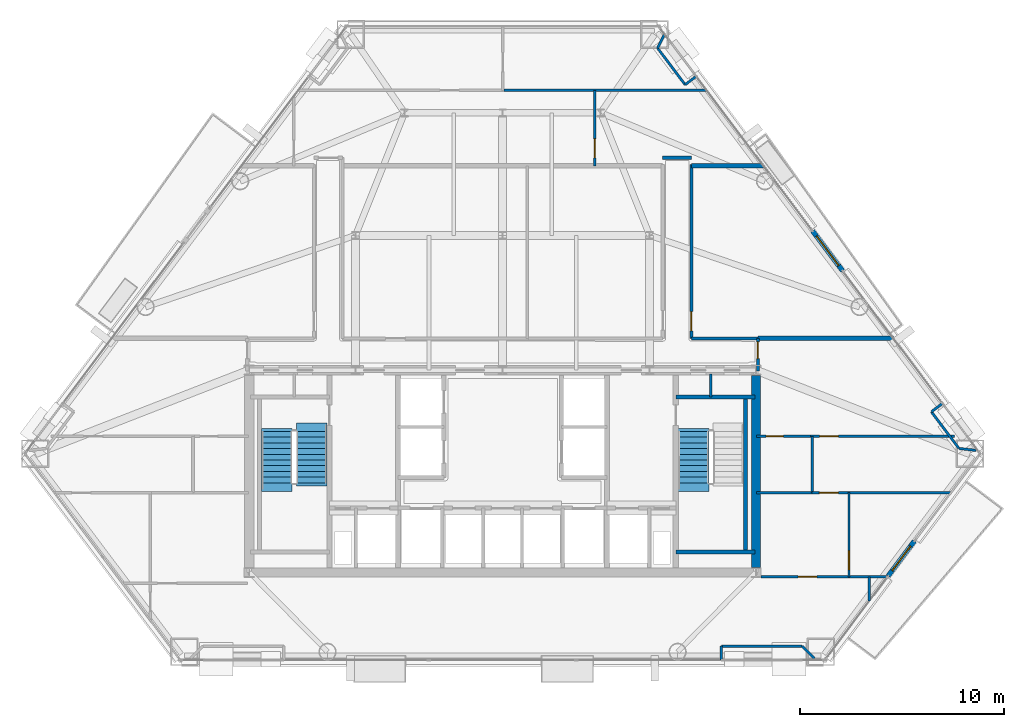
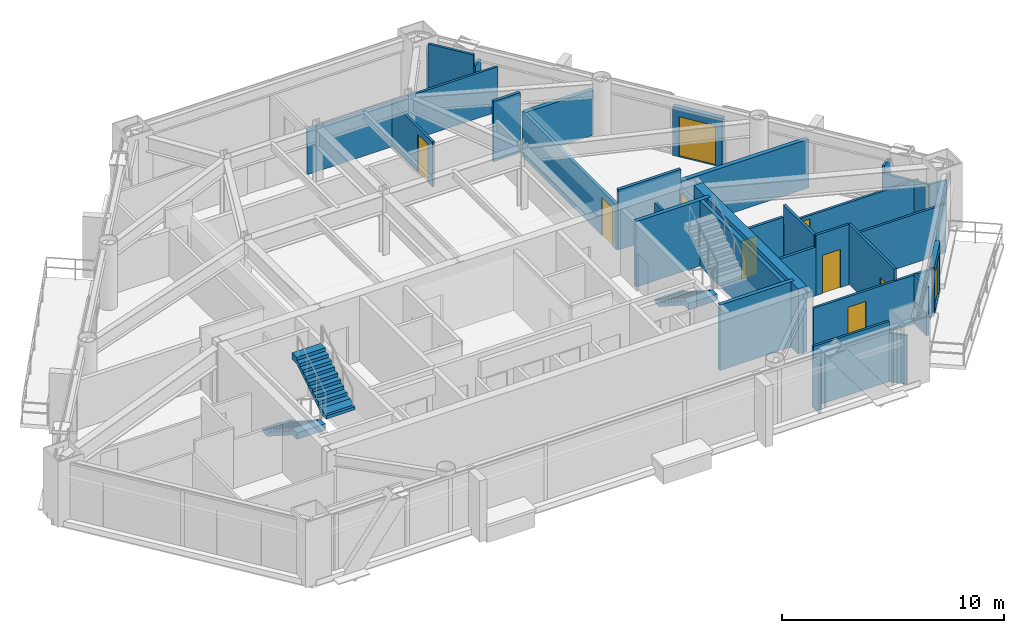
# One storey, part 11 of 14: 33 walls, 10 doors, 3 stair flights, 10 openings, 2 elements without a shape of their own.
"""IFC4 building model written with IfcOpenShell, lengths in metres."""

from ifc_helpers import new_model, si_unit, direction, frame, frame_2d, origin, place, context, subcontext, project, spatial, polyline, rectangle, outline, extrude, material, layer, layer_set, type_object, element, fill, aggregate, save


model = new_model("IFC4")

# Units and contexts
model_context = context("Model", 3, precision=1e-05, world=origin(), true_north=direction((0.0, 1.0)))
body_context = subcontext(model_context, "Body", "Model", "MODEL_VIEW")
ifc_project = project(units=[si_unit("LENGTHUNIT", "METRE"), si_unit("AREAUNIT", "SQUARE_METRE"), si_unit("VOLUMEUNIT", "CUBIC_METRE"), si_unit("PLANEANGLEUNIT", "RADIAN"), si_unit("MASSUNIT", "GRAM", prefix="KILO")], contexts=[model_context])

# Site, building, storey
site_placement = place(None, origin())
site = spatial("IfcSite", under=ifc_project, at=site_placement, CompositionType="ELEMENT")
building_placement = place(site_placement, origin())
building = spatial("IfcBuilding", under=site, at=building_placement, Name="Talgorran Terracotta Tower", CompositionType="ELEMENT")
storey_placement = place(building_placement, frame((0.0, 0.0, 56.699951171875)))
storey = spatial("IfcBuildingStorey", under=building, at=storey_placement, Name="L14", CompositionType="ELEMENT", Elevation=56.699951171875)

# Wall, opening, door
ifc_material_1 = material(Name="Concrete C40/50", Category="concrete")
ifc_layer_1 = layer(ifc_material_1, 0.239990234375, Name="WT_BALCONY_SPAND")
ifc_layer_set_1 = layer_set([ifc_layer_1], Name="Concrete C40/50")
wall_type_1 = type_object("IfcWallType", Name="WT_BALCONY_SPAND", PredefinedType="STANDARD", material=ifc_layer_set_1)
wall_1_placement = place(storey_placement, frame((16.646484375, 0.665771484375, -0.014892578125), z_axis=(0.0, 0.0, 1.0), x_axis=(-0.601471893772, 0.79889396105, 0.0)))
wall_1 = element("IfcWall", 1, at=wall_1_placement, inside=storey, type_object=wall_type_1, Name="WL-L14-BALP-BAL-NE", PredefinedType="STANDARD", context=body_context, shape_type="SweptSolid", body=[
    extrude(rectangle(XDim=2.43994140625, YDim=0.239990234375, at=frame_2d((1.219970703125, 0.0))), origin(), (0.0, 0.0, 1.0), 2.6982421875),
])
opening_1_placement = place(wall_1_placement, frame((0.320068359375, 0.0, 0.014892578125)))
opening_1 = element("IfcOpeningElement", 2, at=opening_1_placement, cuts=wall_1, Name="Opening D-BAL-L14-1", PredefinedType="OPENING", context=body_context, shape_type="SweptSolid", body=[
    extrude(rectangle(XDim=1.806048828125, YDim=2.203951171875, at=frame_2d((0.89990234375, 1.10205078125))), frame((0.0, 0.1298828125, 0.0), z_axis=(0.0, -1.0, 0.0), x_axis=(1.0, 0.0, 0.0)), (0.0, 0.0, 1.0), 0.260009765625),
])
ifc_material_2 = material(Name="Thermally Broken Aluminium", Category="aluminium")
door_type_1 = type_object("IfcDoorType", Name="DT_BALC_1800", OperationType="SLIDING_TO_LEFT", PredefinedType="DOOR", material=ifc_material_2)
door_1_placement = place(opening_1_placement, origin())
door_1 = element("IfcDoor", 3, at=door_1_placement, inside=storey, type_object=door_type_1, Name="DR-L14-BAL-BAL-NE", OperationType="SLIDING_TO_LEFT", OverallHeight=2.199951171875, OverallWidth=1.800048828125, PredefinedType="DOOR", context=body_context, shape_type="SweptSolid", body=[
    extrude(rectangle(XDim=1.800048828125, YDim=2.199951171875, at=frame_2d((0.89990234375, 1.10009765625))), frame((0.0, 0.02490234375, 0.0), z_axis=(0.0, -1.0, 0.0), x_axis=(1.0, 0.0, 0.0)), (0.0, 0.0, 1.0), 0.050048828125),
])
fill(opening_1, door_1)

wall_2_placement = place(storey_placement, frame((18.877197265625, -14.27587890625, -0.014892578125), z_axis=(0.0, 0.0, 1.0), x_axis=(0.601441023505, 0.798917201746, 0.0)))
wall_2 = element("IfcWall", 4, at=wall_2_placement, inside=storey, type_object=wall_type_1, Name="WL-L14-BALP-BAL-SE", PredefinedType="STANDARD", context=body_context, shape_type="SweptSolid", body=[
    extrude(rectangle(XDim=2.14013671875, YDim=0.239990234375, at=frame_2d((1.070068359375, 0.0))), origin(), (0.0, 0.0, 1.0), 2.6982421875),
])
opening_2_placement = place(wall_2_placement, frame((0.320068359375, 0.0, 0.014892578125)))
opening_2 = element("IfcOpeningElement", 5, at=opening_2_placement, cuts=wall_2, Name="Opening D-BAL-L14-3", PredefinedType="OPENING", context=body_context, shape_type="SweptSolid", body=[
    extrude(rectangle(XDim=1.506, YDim=2.203951171875, at=frame_2d((0.75, 1.10205078125))), frame((0.0, 0.1298828125, 0.0), z_axis=(0.0, -1.0, 0.0), x_axis=(1.0, 0.0, 0.0)), (0.0, 0.0, 1.0), 0.260009765625),
])
door_type_2 = type_object("IfcDoorType", Name="DT_BALC_1500", OperationType="SLIDING_TO_RIGHT", PredefinedType="DOOR", material=ifc_material_2)
door_2_placement = place(opening_2_placement, origin())
door_2 = element("IfcDoor", 6, at=door_2_placement, inside=storey, type_object=door_type_2, Name="DR-L14-BAL-BAL-SE", OperationType="SLIDING_TO_RIGHT", OverallHeight=2.199951171875, OverallWidth=1.5, PredefinedType="DOOR", context=body_context, shape_type="SweptSolid", body=[
    extrude(rectangle(XDim=1.5, YDim=2.199951171875, at=frame_2d((0.75, 1.10009765625))), frame((0.0, 0.02490234375, 0.0), z_axis=(0.0, -1.0, 0.0), x_axis=(1.0, 0.0, 0.0)), (0.0, 0.0, 1.0), 0.050048828125),
])
fill(opening_2, door_2)

# Walls
ifc_material_3 = material(Name="Concrete C50/60", Category="concrete")
ifc_layer_2 = layer(ifc_material_3, 0.199951171875, Name="WT_CORE_200")
ifc_layer_set_2 = layer_set([ifc_layer_2], Name="Concrete C50/60")
wall_type_2 = type_object("IfcWallType", Name="WT_CORE_200", PredefinedType="SOLIDWALL", material=ifc_layer_set_2)
for number, where, z_axis, x_axis, name in (
    (7, (8.47998046875, -5.52001953125, 0.0), (0.0, 0.0, 1.0), (1.0, 0.0, 0.0), "WL-L14-CW-ST2-N"),
    (8, (8.47998046875, -13.10009765625, 0.0), (0.0, 0.0, 1.0), (1.0, 0.0, 0.0), "WL-L14-CW-ST2-S"),
):
    element("IfcWall", number, at=place(storey_placement, frame(where, z_axis=z_axis, x_axis=x_axis)), inside=storey, type_object=wall_type_2, Name=name, PredefinedType="SOLIDWALL", context=body_context, shape_type="SweptSolid", body=[
        extrude(rectangle(XDim=3.8701171875, YDim=0.199951171875, at=frame_2d((1.93505859375, 0.0))), origin(), (0.0, 0.0, 1.0), 3.60009765625),
    ])
wall_3_placement = place(storey_placement, frame((11.89990234375, -13.10009765625, 0.0), z_axis=(0.0, 0.0, 1.0), x_axis=(0.0, 1.0, 0.0)))
element("IfcWall", 9, at=wall_3_placement, inside=storey, type_object=wall_type_2, Name="WL-L14-CW-ST2-E", PredefinedType="SOLIDWALL", context=body_context, shape_type="SweptSolid", body=[
    extrude(rectangle(XDim=7.580078125, YDim=0.199951171875, at=frame_2d((3.7900390625, 0.0))), origin(), (0.0, 0.0, 1.0), 3.60009765625),
])
ifc_material_4 = material(Name="Concrete C65/80", Category="concrete")
ifc_layer_3 = layer(ifc_material_4, 0.449951171875, Name="WT_CORE_EXT")
ifc_layer_set_3 = layer_set([ifc_layer_3], Name="Concrete C65/80")
wall_type_3 = type_object("IfcWallType", Name="WT_CORE_EXT", PredefinedType="SHEAR", material=ifc_layer_set_3)
wall_4_placement = place(storey_placement, frame((12.39990234375, -13.85009765625, 0.0), z_axis=(0.0, 0.0, 1.0), x_axis=(0.0, 1.0, 0.0)))
element("IfcWall", 10, at=wall_4_placement, inside=storey, type_object=wall_type_3, Name="WL-L14-CW-OUT-E", PredefinedType="SHEAR", context=body_context, shape_type="SweptSolid", body=[
    extrude(rectangle(XDim=9.400146484375, YDim=0.449951171875, at=frame_2d((4.7001953125, 0.0))), origin(), (0.0, 0.0, 1.0), 3.60009765625),
])

# Wall, opening, door
ifc_material_5 = material(Name="Fire-Rated Steel Stud Plasterboard", Category="steel")
ifc_layer_4 = layer(ifc_material_5, 0.14990234375, Name="WT_FIRE_150")
ifc_layer_set_4 = layer_set([ifc_layer_4], Name="Fire-Rated Steel Stud Plasterboard")
wall_type_4 = type_object("IfcWallType", Name="WT_FIRE_150", PredefinedType="PARTITIONING", material=ifc_layer_set_4)
wall_5_placement = place(storey_placement, frame((9.239990234375, -2.639892578125, 0.0), z_axis=(0.0, 0.0, 1.0), x_axis=(0.0, 1.0, 0.0)))
wall_5 = element("IfcWall", 11, at=wall_5_placement, inside=storey, type_object=wall_type_4, Name="WL-L14-W-L14-R09", PredefinedType="PARTITIONING", context=body_context, shape_type="SweptSolid", body=[
    extrude(rectangle(XDim=8.5, YDim=0.14990234375, at=frame_2d((4.25, 0.0))), origin(), (0.0, 0.0, 1.0), 2.47900390625),
])
opening_3_placement = place(wall_5_placement, frame((0.359619140625, 0.0, 0.0)))
opening_3 = element("IfcOpeningElement", 12, at=opening_3_placement, cuts=wall_5, Name="Opening DR-L14-R15", PredefinedType="OPENING", context=body_context, shape_type="SweptSolid", body=[
    extrude(rectangle(XDim=0.955951171875, YDim=2.10409765625, at=frame_2d((0.47509765625, 1.052001953125))), frame((0.0, 0.0849609375, 0.0), z_axis=(0.0, -1.0, 0.0), x_axis=(1.0, 0.0, 0.0)), (0.0, 0.0, 1.0), 0.169921875),
])
ifc_material_6 = material(Name="Fire-Rated Timber Core", Category="wood")
door_type_3 = type_object("IfcDoorType", Name="DT_FIRE_950", OperationType="NOTDEFINED", PredefinedType="DOOR", material=ifc_material_6)
door_3_placement = place(opening_3_placement, origin())
door_3 = element("IfcDoor", 13, at=door_3_placement, inside=storey, type_object=door_type_3, Name="DR-L14-R15", OperationType="SINGLE_SWING_LEFT", OverallHeight=2.10009765625, OverallWidth=0.949951171875, PredefinedType="DOOR", context=body_context, shape_type="SweptSolid", body=[
    extrude(rectangle(XDim=0.949951171875, YDim=2.10009765625, at=frame_2d((0.47509765625, 1.050048828125))), frame((0.0, 0.02490234375, 0.0), z_axis=(0.0, -1.0, 0.0), x_axis=(1.0, 0.0, 0.0)), (0.0, 0.0, 1.0), 0.050048828125),
])
fill(opening_3, door_3)

# Wall
wall_6_placement = place(storey_placement, frame((9.239990234375, -2.639892578125, 0.0), z_axis=(0.0, 0.0, 1.0), x_axis=(1.0, 0.0, 0.0)))
element("IfcWall", 14, at=wall_6_placement, inside=storey, type_object=wall_type_4, Name="WL-L14-W-L14-R10", PredefinedType="PARTITIONING", context=body_context, shape_type="SweptSolid", body=[
    extrude(rectangle(XDim=3.260009765625, YDim=0.14990234375, at=frame_2d((1.6298828125, 0.0))), origin(), (0.0, 0.0, 1.0), 3.320068359375),
])

# Wall, opening, door
wall_7_placement = place(storey_placement, frame((12.5, -4.239990234375, 0.0), z_axis=(0.0, 0.0, 1.0), x_axis=(0.0, 1.0, 0.0)))
wall_7 = element("IfcWall", 15, at=wall_7_placement, inside=storey, type_object=wall_type_4, Name="WL-L14-W-L14-R02", PredefinedType="PARTITIONING", context=body_context, shape_type="SweptSolid", body=[
    extrude(rectangle(XDim=1.60009765625, YDim=0.14990234375, at=frame_2d((0.800048828125, 0.0))), origin(), (0.0, 0.0, 1.0), 2.295166015625),
])
opening_4_placement = place(wall_7_placement, frame((0.602294921875, 0.0, 0.0)))
opening_4 = element("IfcOpeningElement", 16, at=opening_4_placement, cuts=wall_7, Name="Opening DR-L14-R07", PredefinedType="OPENING", context=body_context, shape_type="SweptSolid", body=[
    extrude(rectangle(XDim=0.826068359375, YDim=2.10409765625, at=frame_2d((0.41015625, 1.052001953125))), frame((0.0, 0.0849609375, 0.0), z_axis=(0.0, -1.0, 0.0), x_axis=(1.0, 0.0, 0.0)), (0.0, 0.0, 1.0), 0.169921875),
])
ifc_material_7 = material(Name="Moisture-Resistant Solid Timber", Category="wood")
door_type_4 = type_object("IfcDoorType", Name="DT_INT_820", OperationType="NOTDEFINED", PredefinedType="DOOR", material=ifc_material_7)
door_4_placement = place(opening_4_placement, origin())
door_4 = element("IfcDoor", 17, at=door_4_placement, inside=storey, type_object=door_type_4, Name="DR-L14-R07", OperationType="SINGLE_SWING_LEFT", OverallHeight=2.10009765625, OverallWidth=0.820068359375, PredefinedType="DOOR", context=body_context, shape_type="SweptSolid", body=[
    extrude(rectangle(XDim=0.820068359375, YDim=2.10009765625, at=frame_2d((0.41015625, 1.050048828125))), frame((0.0, 0.02490234375, 0.0), z_axis=(0.0, -1.0, 0.0), x_axis=(1.0, 0.0, 0.0)), (0.0, 0.0, 1.0), 0.050048828125),
])
fill(opening_4, door_4)

# Walls
wall_8_placement = place(storey_placement, frame((7.840087890625, 6.199951171875, 0.0), z_axis=(0.0, 0.0, 1.0), x_axis=(1.0, 0.0, 0.0)))
element("IfcWall", 18, at=wall_8_placement, inside=storey, type_object=wall_type_4, Name="WL-L14-W-L14-R15", PredefinedType="PARTITIONING", context=body_context, shape_type="SweptSolid", body=[
    extrude(rectangle(XDim=1.39990234375, YDim=0.14990234375, at=frame_2d((0.699951171875, 0.0))), origin(), (0.0, 0.0, 1.0), 3.320068359375),
])
ifc_material_8 = material(Name="Acoustic Masonry and Plasterboard", Category="masonry")
ifc_layer_5 = layer(ifc_material_8, 0.219970703125, Name="WT_PARTY_220")
ifc_layer_set_5 = layer_set([ifc_layer_5], Name="Acoustic Masonry and Plasterboard")
wall_type_5 = type_object("IfcWallType", Name="WT_PARTY_220", PredefinedType="PARTITIONING", material=ifc_layer_set_5)
wall_9_placement = place(storey_placement, frame((12.5, -2.639892578125, 0.0), z_axis=(0.0, 0.0, 1.0), x_axis=(1.0, 0.0, 0.0)))
element("IfcWall", 19, at=wall_9_placement, inside=storey, type_object=wall_type_5, Name="WL-L14-W-L14-R29", PredefinedType="PARTITIONING", context=body_context, shape_type="SweptSolid", body=[
    extrude(rectangle(XDim=6.63525390625, YDim=0.219970703125, at=frame_2d((3.317626953125, 0.0))), origin(), (0.0, 0.0, 1.0), 2.683349609375),
])
wall_10_placement = place(storey_placement, frame((9.239990234375, 5.800048828125, 0.0), z_axis=(0.0, 0.0, 1.0), x_axis=(1.0, 0.0, 0.0)))
element("IfcWall", 20, at=wall_10_placement, inside=storey, type_object=wall_type_5, Name="WL-L14-W-L14-R44", PredefinedType="PARTITIONING", context=body_context, shape_type="SweptSolid", body=[
    extrude(rectangle(XDim=3.54150390625, YDim=0.219970703125, at=frame_2d((1.770751953125, 0.0))), origin(), (0.0, 0.0, 1.0), 2.47900390625),
])
ifc_material_9 = material(Name="Insulated Steel Stud Plasterboard", Category="steel")
ifc_layer_6 = layer(ifc_material_9, 0.1201171875, Name="WT_PART_120")
ifc_layer_set_6 = layer_set([ifc_layer_6], Name="Insulated Steel Stud Plasterboard")
wall_type_6 = type_object("IfcWallType", Name="WT_PART_120", PredefinedType="PARTITIONING", material=ifc_layer_set_6)
wall_11_placement = place(storey_placement, frame((10.199951171875, -5.52001953125, 0.0), z_axis=(0.0, 0.0, 1.0), x_axis=(0.0, 1.0, 0.0)))
element("IfcWall", 21, at=wall_11_placement, inside=storey, type_object=wall_type_6, Name="WL-L14-CW-CSE-DIV", PredefinedType="PARTITIONING", context=body_context, shape_type="SweptSolid", body=[
    extrude(rectangle(XDim=1.1201171875, YDim=0.1201171875, at=frame_2d((0.56005859375, 0.0))), origin(), (0.0, 0.0, 1.0), 3.320068359375),
])

# Wall, opening, door
wall_12_placement = place(storey_placement, frame((15.080078125, -7.43994140625, 0.0), z_axis=(0.0, 0.0, 1.0), x_axis=(1.0, 0.0, 0.0)))
wall_12 = element("IfcWall", 22, at=wall_12_placement, inside=storey, type_object=wall_type_6, Name="WL-L14-W-L14-R28", PredefinedType="PARTITIONING", context=body_context, shape_type="SweptSolid", body=[
    extrude(rectangle(XDim=7.0400390625, YDim=0.1201171875, at=frame_2d((3.52001953125, 0.0))), origin(), (0.0, 0.0, 1.0), 2.295166015625),
])
opening_5_placement = place(wall_12_placement, frame((0.43896484375, 0.0, 0.0)))
opening_5 = element("IfcOpeningElement", 23, at=opening_5_placement, cuts=wall_12, Name="Opening DR-L14-R09", PredefinedType="OPENING", context=body_context, shape_type="SweptSolid", body=[
    extrude(rectangle(XDim=0.925921875, YDim=2.10409765625, at=frame_2d((0.4599609375, 1.052001953125))), frame((0.0, 0.070068359375, 0.0), z_axis=(0.0, -1.0, 0.0), x_axis=(1.0, 0.0, 0.0)), (0.0, 0.0, 1.0), 0.14013671875),
])
ifc_material_10 = material(Name="Solid-Core Painted Timber", Category="wood")
door_type_5 = type_object("IfcDoorType", Name="DT_INT_920", OperationType="NOTDEFINED", PredefinedType="DOOR", material=ifc_material_10)
door_5_placement = place(opening_5_placement, origin())
door_5 = element("IfcDoor", 24, at=door_5_placement, inside=storey, type_object=door_type_5, Name="DR-L14-R09", OperationType="SINGLE_SWING_LEFT", OverallHeight=2.10009765625, OverallWidth=0.919921875, PredefinedType="DOOR", context=body_context, shape_type="SweptSolid", body=[
    extrude(rectangle(XDim=0.919921875, YDim=2.10009765625, at=frame_2d((0.4599609375, 1.050048828125))), frame((0.0, 0.02490234375, 0.0), z_axis=(0.0, -1.0, 0.0), x_axis=(1.0, 0.0, 0.0)), (0.0, 0.0, 1.0), 0.050048828125),
])
fill(opening_5, door_5)

wall_13_placement = place(storey_placement, frame((12.659912109375, -14.320068359375, 0.0), z_axis=(0.0, 0.0, 1.0), x_axis=(1.0, 0.0, 0.0)))
wall_13 = element("IfcWall", 25, at=wall_13_placement, inside=storey, type_object=wall_type_6, Name="WL-L14-W-L14-R34", PredefinedType="PARTITIONING", context=body_context, shape_type="SweptSolid", body=[
    extrude(rectangle(XDim=6.18408203125, YDim=0.1201171875, at=frame_2d((3.092041015625, 0.0))), origin(), (0.0, 0.0, 1.0), 2.683349609375),
])
opening_6_placement = place(wall_13_placement, frame((1.810302734375, 0.0, 0.0)))
opening_6 = element("IfcOpeningElement", 26, at=opening_6_placement, cuts=wall_13, Name="Opening DR-L14-R10", PredefinedType="OPENING", context=body_context, shape_type="SweptSolid", body=[
    extrude(rectangle(XDim=0.925921875, YDim=2.10409765625, at=frame_2d((0.4599609375, 1.052001953125))), frame((0.0, 0.070068359375, 0.0), z_axis=(0.0, -1.0, 0.0), x_axis=(1.0, 0.0, 0.0)), (0.0, 0.0, 1.0), 0.14013671875),
])
door_6_placement = place(opening_6_placement, origin())
door_6 = element("IfcDoor", 27, at=door_6_placement, inside=storey, type_object=door_type_5, Name="DR-L14-R10", OperationType="SINGLE_SWING_RIGHT", OverallHeight=2.10009765625, OverallWidth=0.919921875, PredefinedType="DOOR", context=body_context, shape_type="SweptSolid", body=[
    extrude(rectangle(XDim=0.919921875, YDim=2.10009765625, at=frame_2d((0.4599609375, 1.050048828125))), frame((0.0, 0.02490234375, 0.0), z_axis=(0.0, -1.0, 0.0), x_axis=(1.0, 0.0, 0.0)), (0.0, 0.0, 1.0), 0.050048828125),
])
fill(opening_6, door_6)

# Walls
wall_14_placement = place(storey_placement, frame((0.06201171875, 9.5, 0.0), z_axis=(0.0, 0.0, 1.0), x_axis=(1.0, 0.0, 0.0)))
element("IfcWall", 28, at=wall_14_placement, inside=storey, type_object=wall_type_6, Name="WL-L14-W-L14-R50", PredefinedType="PARTITIONING", context=body_context, shape_type="SweptSolid", body=[
    extrude(rectangle(XDim=9.93408203125, YDim=0.1201171875, at=frame_2d((4.967041015625, 0.0))), origin(), (0.0, 0.0, 1.0), 2.47900390625),
])
wall_15_placement = place(storey_placement, frame((16.919921875, -10.199951171875, 0.0), z_axis=(0.0, 0.0, 1.0), x_axis=(1.0, 0.0, 0.0)))
element("IfcWall", 29, at=wall_15_placement, inside=storey, type_object=wall_type_6, Name="WL-L14-W-L14-R33", PredefinedType="PARTITIONING", context=body_context, shape_type="SweptSolid", body=[
    extrude(rectangle(XDim=5.025634765625, YDim=0.1201171875, at=frame_2d((2.5126953125, 0.0))), origin(), (0.0, 0.0, 1.0), 2.683349609375),
])

# Wall, opening, door
wall_16_placement = place(storey_placement, frame((16.9599609375, -14.320068359375, 0.0), z_axis=(0.0, 0.0, 1.0), x_axis=(0.0, 1.0, 0.0)))
wall_16 = element("IfcWall", 30, at=wall_16_placement, inside=storey, type_object=wall_type_6, Name="WL-L14-W-L14-R37", PredefinedType="PARTITIONING", context=body_context, shape_type="SweptSolid", body=[
    extrude(rectangle(XDim=4.1201171875, YDim=0.1201171875, at=frame_2d((2.06005859375, 0.0))), origin(), (0.0, 0.0, 1.0), 3.320068359375),
])
opening_7_placement = place(wall_16_placement, frame((0.356689453125, 0.0, 0.0)))
opening_7 = element("IfcOpeningElement", 31, at=opening_7_placement, cuts=wall_16, Name="Opening DR-L14-R11", PredefinedType="OPENING", context=body_context, shape_type="SweptSolid", body=[
    extrude(rectangle(XDim=0.925921875, YDim=2.10409765625, at=frame_2d((0.4599609375, 1.052001953125))), frame((0.0, 0.070068359375, 0.0), z_axis=(0.0, -1.0, 0.0), x_axis=(1.0, 0.0, 0.0)), (0.0, 0.0, 1.0), 0.14013671875),
])
door_7_placement = place(opening_7_placement, origin())
door_7 = element("IfcDoor", 32, at=door_7_placement, inside=storey, type_object=door_type_5, Name="DR-L14-R11", OperationType="SINGLE_SWING_LEFT", OverallHeight=2.10009765625, OverallWidth=0.919921875, PredefinedType="DOOR", context=body_context, shape_type="SweptSolid", body=[
    extrude(rectangle(XDim=0.919921875, YDim=2.10009765625, at=frame_2d((0.4599609375, 1.050048828125))), frame((0.0, 0.02490234375, 0.0), z_axis=(0.0, -1.0, 0.0), x_axis=(1.0, 0.0, 0.0)), (0.0, 0.0, 1.0), 0.050048828125),
])
fill(opening_7, door_7)

# Wall
wall_17_placement = place(storey_placement, frame((10.70654296875, -17.711181640625, 0.0), z_axis=(0.0, 0.0, 1.0), x_axis=(1.0, 0.0, 0.0)))
element("IfcWall", 33, at=wall_17_placement, inside=storey, type_object=wall_type_6, Name="WL-L14-BW-L14-06", PredefinedType="PARTITIONING", context=body_context, shape_type="SweptSolid", body=[
    extrude(rectangle(XDim=3.959228515625, YDim=0.1201171875, at=frame_2d((1.9794921875, 0.0))), origin(), (0.0, 0.0, 1.0), 3.320068359375),
])

# Wall, opening, door
wall_18_placement = place(storey_placement, frame((4.52001953125, 5.800048828125, 0.0), z_axis=(0.0, 0.0, 1.0), x_axis=(0.0, 1.0, 0.0)))
wall_18 = element("IfcWall", 34, at=wall_18_placement, inside=storey, type_object=wall_type_6, Name="WL-L14-W-L14-R48", PredefinedType="PARTITIONING", context=body_context, shape_type="SweptSolid", body=[
    extrude(rectangle(XDim=3.699951171875, YDim=0.1201171875, at=frame_2d((1.85009765625, 0.0))), origin(), (0.0, 0.0, 1.0), 2.47900390625),
])
opening_8_placement = place(wall_18_placement, frame((0.397705078125, 0.0, 0.0)))
opening_8 = element("IfcOpeningElement", 35, at=opening_8_placement, cuts=wall_18, Name="Opening DR-L14-R20", PredefinedType="OPENING", context=body_context, shape_type="SweptSolid", body=[
    extrude(rectangle(XDim=0.925921875, YDim=2.10409765625, at=frame_2d((0.4599609375, 1.052001953125))), frame((0.0, 0.070068359375, 0.0), z_axis=(0.0, -1.0, 0.0), x_axis=(1.0, 0.0, 0.0)), (0.0, 0.0, 1.0), 0.14013671875),
])
door_8_placement = place(opening_8_placement, origin())
door_8 = element("IfcDoor", 36, at=door_8_placement, inside=storey, type_object=door_type_5, Name="DR-L14-R20", OperationType="SINGLE_SWING_RIGHT", OverallHeight=2.10009765625, OverallWidth=0.919921875, PredefinedType="DOOR", context=body_context, shape_type="SweptSolid", body=[
    extrude(rectangle(XDim=0.919921875, YDim=2.10009765625, at=frame_2d((0.4599609375, 1.050048828125))), frame((0.0, 0.02490234375, 0.0), z_axis=(0.0, -1.0, 0.0), x_axis=(1.0, 0.0, 0.0)), (0.0, 0.0, 1.0), 0.050048828125),
])
fill(opening_8, door_8)

# Wall
wall_19_placement = place(storey_placement, frame((8.93701171875, 9.776123046875, 0.0), z_axis=(0.0, 0.0, 1.0), x_axis=(-0.601407243549, 0.798942630861, 0.0)))
element("IfcWall", 37, at=wall_19_placement, inside=storey, type_object=wall_type_6, Name="WL-L14-BW-L14-18", PredefinedType="PARTITIONING", context=body_context, shape_type="SweptSolid", body=[
    extrude(rectangle(XDim=2.246826171875, YDim=0.1201171875, at=frame_2d((1.12353515625, 0.0))), origin(), (0.0, 0.0, 1.0), 3.320068359375),
])

# Wall, opening, door
wall_20_placement = place(storey_placement, frame((15.159912109375, -10.199951171875, 0.0), z_axis=(0.0, 0.0, 1.0), x_axis=(1.0, 0.0, 0.0)))
wall_20 = element("IfcWall", 38, at=wall_20_placement, inside=storey, type_object=wall_type_6, Name="WL-L14-W-L14-R32", PredefinedType="PARTITIONING", context=body_context, shape_type="SweptSolid", body=[
    extrude(rectangle(XDim=1.758056640625, YDim=0.1201171875, at=frame_2d((0.87890625, 0.0))), origin(), (0.0, 0.0, 1.0), 3.320068359375),
])
opening_9_placement = place(wall_20_placement, frame((0.353271484375, 0.0, 0.0)))
opening_9 = element("IfcOpeningElement", 39, at=opening_9_placement, cuts=wall_20, Name="Opening DR-L14-R21", PredefinedType="OPENING", context=body_context, shape_type="SweptSolid", body=[
    extrude(rectangle(XDim=0.925921875, YDim=2.10409765625, at=frame_2d((0.4599609375, 1.052001953125))), frame((0.0, 0.070068359375, 0.0), z_axis=(0.0, -1.0, 0.0), x_axis=(1.0, 0.0, 0.0)), (0.0, 0.0, 1.0), 0.14013671875),
])
door_9_placement = place(opening_9_placement, origin())
door_9 = element("IfcDoor", 40, at=door_9_placement, inside=storey, type_object=door_type_5, Name="DR-L14-R21", OperationType="SINGLE_SWING_LEFT", OverallHeight=2.10009765625, OverallWidth=0.919921875, PredefinedType="DOOR", context=body_context, shape_type="SweptSolid", body=[
    extrude(rectangle(XDim=0.919921875, YDim=2.10009765625, at=frame_2d((0.4599609375, 1.050048828125))), frame((0.0, 0.02490234375, 0.0), z_axis=(0.0, -1.0, 0.0), x_axis=(1.0, 0.0, 0.0)), (0.0, 0.0, 1.0), 0.050048828125),
])
fill(opening_9, door_9)

# Walls
wall_21_placement = place(storey_placement, frame((22.344970703125, -8.034423828125, 0.0), z_axis=(0.0, 0.0, 1.0), x_axis=(-0.601407243549, 0.798942630861, 0.0)))
element("IfcWall", 41, at=wall_21_placement, inside=storey, type_object=wall_type_6, Name="WL-L14-BW-L14-13", PredefinedType="PARTITIONING", context=body_context, shape_type="SweptSolid", body=[
    extrude(rectangle(XDim=2.246826171875, YDim=0.1201171875, at=frame_2d((1.12353515625, 0.0))), origin(), (0.0, 0.0, 1.0), 2.295166015625),
])
wall_22_placement = place(storey_placement, frame((17.9599609375, -15.494140625, 0.0), z_axis=(0.0, 0.0, 1.0), x_axis=(0.0, 1.0, 0.0)))
element("IfcWall", 42, at=wall_22_placement, inside=storey, type_object=wall_type_6, Name="WL-L14-W-L14-R36", PredefinedType="PARTITIONING", context=body_context, shape_type="SweptSolid", body=[
    extrude(rectangle(XDim=1.174072265625, YDim=0.1201171875, at=frame_2d((0.5869140625, 0.0))), origin(), (0.0, 0.0, 1.0), 2.683349609375),
])
wall_23_placement = place(storey_placement, frame((14.665771484375, -17.711181640625, 0.0), z_axis=(0.0, 0.0, 1.0), x_axis=(0.712544720488, -0.701626696545, 0.0)))
element("IfcWall", 43, at=wall_23_placement, inside=storey, type_object=wall_type_6, Name="WL-L14-BW-L14-04", PredefinedType="PARTITIONING", context=body_context, shape_type="SweptSolid", body=[
    extrude(rectangle(XDim=0.849609375, YDim=0.1201171875, at=frame_2d((0.4248046875, 0.0))), origin(), (0.0, 0.0, 1.0), 2.683349609375),
])
wall_24_placement = place(storey_placement, frame((23.1884765625, -8.12939453125, 0.0), z_axis=(0.0, 0.0, 1.0), x_axis=(-0.993721326988, 0.111883530014, 0.0)))
element("IfcWall", 44, at=wall_24_placement, inside=storey, type_object=wall_type_6, Name="WL-L14-BW-L14-12", PredefinedType="PARTITIONING", context=body_context, shape_type="SweptSolid", body=[
    extrude(rectangle(XDim=0.848876953125, YDim=0.1201171875, at=frame_2d((0.42431640625, 0.0))), origin(), (0.0, 0.0, 1.0), 2.295166015625),
])
wall_25_placement = place(storey_placement, frame((7.585693359375, 11.5712890625, 0.0), z_axis=(0.0, 0.0, 1.0), x_axis=(0.45126383434, 0.892390582546, 0.0)))
element("IfcWall", 45, at=wall_25_placement, inside=storey, type_object=wall_type_6, Name="WL-L14-BW-L14-19", PredefinedType="PARTITIONING", context=body_context, shape_type="SweptSolid", body=[
    extrude(rectangle(XDim=0.74658203125, YDim=0.1201171875, at=frame_2d((0.373291015625, 0.0))), origin(), (0.0, 0.0, 1.0), 2.683349609375),
])
for number, where, z_axis, x_axis, name in (
    (46, (10.70654296875, -18.381103515625, 0.0), (0.0, 0.0, 1.0), (0.0, 1.0, 0.0), "WL-L14-BW-L14-05"),
    (47, (9.472412109375, 10.178955078125, 0.0), (0.0, 0.0, 1.0), (-0.799080830747, -0.601223607265, 0.0), "WL-L14-BW-L14-17"),
    (48, (20.99365234375, -6.2392578125, 0.0), (0.0, 0.0, 1.0), (0.798773936271, 0.601631281379, 0.0), "WL-L14-BW-L14-11"),
):
    element("IfcWall", number, at=place(storey_placement, frame(where, z_axis=z_axis, x_axis=x_axis)), inside=storey, type_object=wall_type_6, Name=name, PredefinedType="PARTITIONING", context=body_context, shape_type="SweptSolid", body=[
        extrude(rectangle(XDim=0.669921875, YDim=0.1201171875, at=frame_2d((0.3349609375, 0.0))), origin(), (0.0, 0.0, 1.0), 2.683349609375),
    ])

# Wall, opening, door
ifc_material_11 = material(Name="Moisture-Resistant Stud Wall")
ifc_layer_7 = layer(ifc_material_11, 0.135009765625, Name="WT_PART_135")
ifc_layer_set_7 = layer_set([ifc_layer_7], Name="Moisture-Resistant Stud Wall")
wall_type_7 = type_object("IfcWallType", Name="WT_PART_135", PredefinedType="PARTITIONING", material=ifc_layer_set_7)
wall_26_placement = place(storey_placement, frame((12.43994140625, -7.43994140625, 0.0), z_axis=(0.0, 0.0, 1.0), x_axis=(1.0, 0.0, 0.0)))
wall_26 = element("IfcWall", 49, at=wall_26_placement, inside=storey, type_object=wall_type_7, Name="WL-L14-W-L14-R27", PredefinedType="PARTITIONING", context=body_context, shape_type="SweptSolid", body=[
    extrude(rectangle(XDim=2.637939453125, YDim=0.135009765625, at=frame_2d((1.31884765625, 0.0))), origin(), (0.0, 0.0, 1.0), 2.683349609375),
])
opening_10_placement = place(wall_26_placement, frame((0.458251953125, 0.0, 0.0)))
opening_10 = element("IfcOpeningElement", 50, at=opening_10_placement, cuts=wall_26, Name="Opening DR-L14-R08", PredefinedType="OPENING", context=body_context, shape_type="SweptSolid", body=[
    extrude(rectangle(XDim=0.85609765625, YDim=2.10409765625, at=frame_2d((0.425048828125, 1.052001953125))), frame((0.0, 0.07763671875, 0.0), z_axis=(0.0, -1.0, 0.0), x_axis=(1.0, 0.0, 0.0)), (0.0, 0.0, 1.0), 0.155029296875),
])
door_type_6 = type_object("IfcDoorType", Name="DT_INT_850", OperationType="NOTDEFINED", PredefinedType="DOOR", material=ifc_material_7)
door_10_placement = place(opening_10_placement, origin())
door_10 = element("IfcDoor", 51, at=door_10_placement, inside=storey, type_object=door_type_6, Name="DR-L14-R08", OperationType="SINGLE_SWING_RIGHT", OverallHeight=2.10009765625, OverallWidth=0.85009765625, PredefinedType="DOOR", context=body_context, shape_type="SweptSolid", body=[
    extrude(rectangle(XDim=0.85009765625, YDim=2.10009765625, at=frame_2d((0.425048828125, 1.050048828125))), frame((0.0, 0.02490234375, 0.0), z_axis=(0.0, -1.0, 0.0), x_axis=(1.0, 0.0, 0.0)), (0.0, 0.0, 1.0), 0.050048828125),
])
fill(opening_10, door_10)

# Walls
wall_27_placement = place(storey_placement, frame((15.159912109375, -10.199951171875, 0.0), z_axis=(0.0, 0.0, 1.0), x_axis=(0.0, 1.0, 0.0)))
element("IfcWall", 52, at=wall_27_placement, inside=storey, type_object=wall_type_7, Name="WL-L14-W-L14-R30", PredefinedType="PARTITIONING", context=body_context, shape_type="SweptSolid", body=[
    extrude(rectangle(XDim=2.760009765625, YDim=0.135009765625, at=frame_2d((1.3798828125, 0.0))), origin(), (0.0, 0.0, 1.0), 3.320068359375),
])
wall_28_placement = place(storey_placement, frame((12.43994140625, -10.199951171875, 0.0), z_axis=(0.0, 0.0, 1.0), x_axis=(1.0, 0.0, 0.0)))
element("IfcWall", 53, at=wall_28_placement, inside=storey, type_object=wall_type_7, Name="WL-L14-W-L14-R31", PredefinedType="PARTITIONING", context=body_context, shape_type="SweptSolid", body=[
    extrude(rectangle(XDim=2.719970703125, YDim=0.135009765625, at=frame_2d((1.35986328125, 0.0))), origin(), (0.0, 0.0, 1.0), 2.683349609375),
])

# Stair, stair flights
stair_type = type_object("IfcStairType", Name="ST_FIRE_SCISSOR", PredefinedType="HALF_TURN_STAIR", material=ifc_material_1)
stair_1_placement = place(storey_placement, origin())
stair_1 = element("IfcStair", 54, at=stair_1_placement, inside=storey, type_object=stair_type, Name="L14 West Protected Fire Stair ST-01", PredefinedType="HALF_TURN_STAIR")
ifc_layer_8 = layer(ifc_material_1, 0.179931640625, Name="STF_RC_1500")
ifc_layer_set_8 = layer_set([ifc_layer_8], Name="Concrete C40/50")
stair_flight_type = type_object("IfcStairFlightType", Name="STF_RC_1500", PredefinedType="STRAIGHT", material=ifc_layer_set_8)
stair_flight_1_placement = place(storey_placement, frame((-11.050048828125, -7.199951171875, 0.0), z_axis=(0.0, 0.0, 1.0), x_axis=(0.0, -1.0, 0.0)))
stair_flight_1 = element("IfcStairFlight", 55, at=stair_flight_1_placement, type_object=stair_flight_type, Name="ST-01 flight 1", NumberOfRisers=10, NumberOfTreads=9, PredefinedType="STRAIGHT", RiserHeight=0.18, TreadLength=0.28, context=body_context, shape_type="SweptSolid", body=[
    extrude(outline(polyline([(-0.139892578125, 0.0), (-0.139892578125, 0.179931640625), (0.0, 0.179931640625), (0.280029296875, 0.360107421875), (0.56005859375, 0.360107421875), (0.56005859375, 0.5400390625), (0.840087890625, 0.5400390625), (0.840087890625, 0.719970703125), (1.1201171875, 0.719970703125), (1.1201171875, 0.89990234375), (1.39990234375, 0.89990234375), (1.39990234375, 1.080078125), (1.679931640625, 1.080078125), (1.679931640625, 1.260009765625), (1.9599609375, 1.260009765625), (1.9599609375, 1.43994140625), (2.239990234375, 1.43994140625), (2.239990234375, 1.6201171875), (2.52001953125, 1.6201171875), (2.52001953125, 1.800048828125), (2.93994140625, 1.800048828125), (2.93994140625, 1.44189453125), (2.52001953125, 1.44189453125), (0.277099609375, 0.0), (-0.139892578125, 0.0)])), frame((0.0, 0.75, 0.0), z_axis=(0.0, -1.0, 0.0), x_axis=(1.0, 0.0, 0.0)), (0.0, 0.0, 1.0), 1.5),
])
stair_flight_2_placement = place(storey_placement, frame((-9.35009765625, -9.719970703125, 1.800048828125), z_axis=(0.0, 0.0, 1.0), x_axis=(0.0, 1.0, 0.0)))
stair_flight_2 = element("IfcStairFlight", 56, at=stair_flight_2_placement, type_object=stair_flight_type, Name="ST-01 flight 2", NumberOfRisers=10, NumberOfTreads=9, PredefinedType="STRAIGHT", RiserHeight=0.18, TreadLength=0.28, context=body_context, shape_type="SweptSolid", body=[
    extrude(outline(polyline([(-0.139892578125, 0.0), (-0.139892578125, 0.179931640625), (0.0, 0.179931640625), (0.280029296875, 0.360107421875), (0.56005859375, 0.360107421875), (0.56005859375, 0.5400390625), (0.840087890625, 0.5400390625), (0.840087890625, 0.719970703125), (1.1201171875, 0.719970703125), (1.1201171875, 0.89990234375), (1.39990234375, 0.89990234375), (1.39990234375, 1.080078125), (1.679931640625, 1.080078125), (1.679931640625, 1.260009765625), (1.9599609375, 1.260009765625), (1.9599609375, 1.43994140625), (2.239990234375, 1.43994140625), (2.239990234375, 1.6201171875), (2.52001953125, 1.6201171875), (2.52001953125, 1.800048828125), (2.93994140625, 1.800048828125), (2.93994140625, 1.44189453125), (2.52001953125, 1.44189453125), (0.277099609375, 0.0), (-0.139892578125, 0.0)])), frame((0.0, 0.75, 0.0), z_axis=(0.0, -1.0, 0.0), x_axis=(1.0, 0.0, 0.0)), (0.0, 0.0, 1.0), 1.5),
])
aggregate(stair_1, [stair_flight_1, stair_flight_2])

# Stair, stair flight
stair_2_placement = place(storey_placement, origin())
stair_2 = element("IfcStair", 57, at=stair_2_placement, inside=storey, type_object=stair_type, Name="L14 East Protected Fire Stair ST-02", PredefinedType="HALF_TURN_STAIR")
stair_flight_3_placement = place(storey_placement, frame((9.35009765625, -7.199951171875, 0.0), z_axis=(0.0, 0.0, 1.0), x_axis=(0.0, -1.0, 0.0)))
stair_flight_3 = element("IfcStairFlight", 58, at=stair_flight_3_placement, type_object=stair_flight_type, Name="ST-02 flight 1", NumberOfRisers=10, NumberOfTreads=9, PredefinedType="STRAIGHT", RiserHeight=0.18, TreadLength=0.28, context=body_context, shape_type="SweptSolid", body=[
    extrude(outline(polyline([(-0.139892578125, 0.0), (-0.139892578125, 0.179931640625), (0.0, 0.179931640625), (0.280029296875, 0.360107421875), (0.56005859375, 0.360107421875), (0.56005859375, 0.5400390625), (0.840087890625, 0.5400390625), (0.840087890625, 0.719970703125), (1.1201171875, 0.719970703125), (1.1201171875, 0.89990234375), (1.39990234375, 0.89990234375), (1.39990234375, 1.080078125), (1.679931640625, 1.080078125), (1.679931640625, 1.260009765625), (1.9599609375, 1.260009765625), (1.9599609375, 1.43994140625), (2.239990234375, 1.43994140625), (2.239990234375, 1.6201171875), (2.52001953125, 1.6201171875), (2.52001953125, 1.800048828125), (2.93994140625, 1.800048828125), (2.93994140625, 1.44189453125), (2.52001953125, 1.44189453125), (0.277099609375, 0.0), (-0.139892578125, 0.0)])), frame((0.0, 0.75, 0.0), z_axis=(0.0, -1.0, 0.0), x_axis=(1.0, 0.0, 0.0)), (0.0, 0.0, 1.0), 1.5),
])
aggregate(stair_2, [stair_flight_3])

save(model, "model.ifc")
